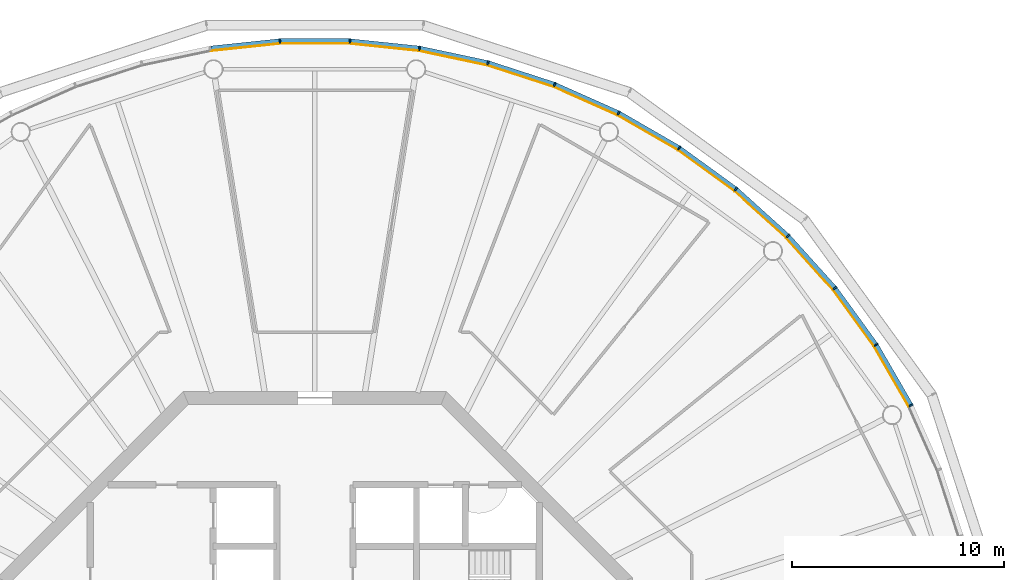
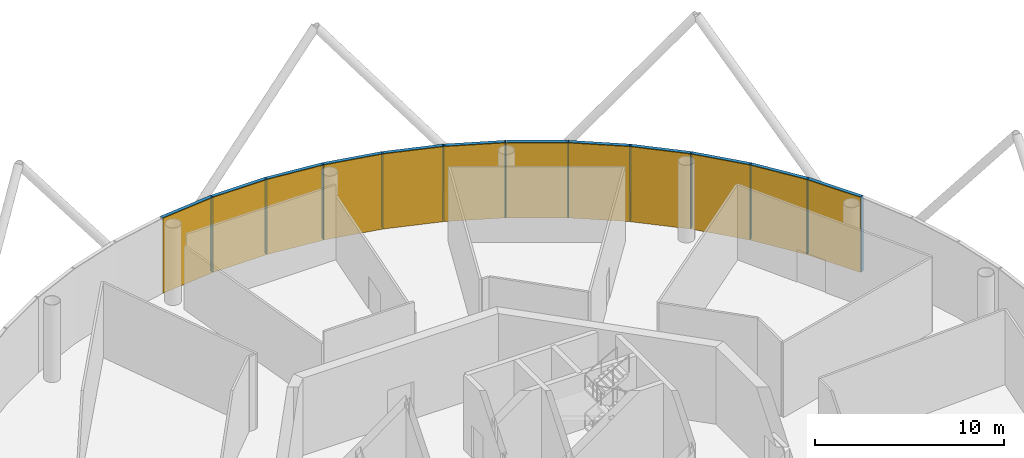
# One storey, part 12 of 13: 24 members, 4 curtain walls.
"""IFC4 building model written with IfcOpenShell, lengths in metres."""

from ifc_helpers import new_model, si_unit, direction, frame, origin, origin_2d, place, context, subcontext, project, spatial, polyline, rectangle, outline, extrude, material, layer, layer_set, material_profile, profile_set, type_object, element, aggregate, save


model = new_model("IFC4")

# Units and contexts
model_context = context("Model", 3, precision=1e-05, world=origin(), true_north=direction((0.0, 1.0)))
body_context = subcontext(model_context, "Body", "Model", "MODEL_VIEW")
ifc_project = project(units=[si_unit("LENGTHUNIT", "METRE"), si_unit("AREAUNIT", "SQUARE_METRE"), si_unit("VOLUMEUNIT", "CUBIC_METRE"), si_unit("PLANEANGLEUNIT", "RADIAN"), si_unit("MASSUNIT", "GRAM", prefix="KILO")], contexts=[model_context])

# Member
ifc_material_1 = material(Name="Anodised aluminium", Category="aluminium")
ifc_material_profile_1 = material_profile(ifc_material_1, rectangle(XDim=0.070068359375, YDim=0.2099609375, at=origin_2d()), Name="Mullion 70 x 210 mm anodised aluminium")
ifc_profile_set_1 = profile_set([ifc_material_profile_1], Name="Anodised aluminium")
member_type_1 = type_object("IfcMemberType", Name="Mullion 70 x 210 mm anodised aluminium", PredefinedType="MULLION", material=ifc_profile_set_1)
site_placement = place(None, origin())
building_placement = place(site_placement, origin())
storey_placement = place(building_placement, frame((0.0, 0.0, 402.0)))
member_1_placement = place(storey_placement, frame((118.16015625, 94.348388671875, 0.0), z_axis=(0.0, 0.0, 1.0), x_axis=(-0.45399049974, 0.891006524188, 0.0)))
member_1 = element("IfcMember", 1, at=member_1_placement, type_object=member_type_1, Name="MULLION L92-03", PredefinedType="MULLION", context=body_context, shape_type="SweptSolid", body=[
    extrude(rectangle(XDim=0.070068359375, YDim=0.2099609375, at=origin_2d()), origin(), (0.0, 0.0, 1.0), 4.85009765625),
])

member_2_placement = place(storey_placement, frame((116.506103515625, 97.21337890625, 0.0), z_axis=(0.0, 0.0, 1.0), x_axis=(-0.544639035015, 0.838670567945, 0.0)))
member_2 = element("IfcMember", 2, at=member_2_placement, type_object=member_type_1, Name="MULLION L92-04", PredefinedType="MULLION", context=body_context, shape_type="SweptSolid", body=[
    extrude(rectangle(XDim=0.070068359375, YDim=0.2099609375, at=origin_2d()), origin(), (0.0, 0.0, 1.0), 4.85009765625),
])

member_3_placement = place(storey_placement, frame((114.561767578125, 99.8896484375, 0.0), z_axis=(0.0, 0.0, 1.0), x_axis=(-0.62932039105, 0.777145961457, 0.0)))
member_3 = element("IfcMember", 3, at=member_3_placement, type_object=member_type_1, Name="MULLION L92-05", PredefinedType="MULLION", context=body_context, shape_type="SweptSolid", body=[
    extrude(rectangle(XDim=0.070068359375, YDim=0.2099609375, at=origin_2d()), origin(), (0.0, 0.0, 1.0), 4.85009765625),
])

member_4_placement = place(storey_placement, frame((112.34814453125, 102.34814453125, 0.0), z_axis=(0.0, 0.0, 1.0), x_axis=(-0.707106781187, 0.707106781187, 0.0)))
member_4 = element("IfcMember", 4, at=member_4_placement, type_object=member_type_1, Name="MULLION L92-06", PredefinedType="MULLION", context=body_context, shape_type="SweptSolid", body=[
    extrude(rectangle(XDim=0.070068359375, YDim=0.2099609375, at=origin_2d()), origin(), (0.0, 0.0, 1.0), 4.85009765625),
])

member_5_placement = place(storey_placement, frame((109.8896484375, 104.561767578125, 0.0), z_axis=(0.0, 0.0, 1.0), x_axis=(-0.777145961457, 0.62932039105, 0.0)))
member_5 = element("IfcMember", 5, at=member_5_placement, type_object=member_type_1, Name="MULLION L92-07", PredefinedType="MULLION", context=body_context, shape_type="SweptSolid", body=[
    extrude(rectangle(XDim=0.070068359375, YDim=0.2099609375, at=origin_2d()), origin(), (0.0, 0.0, 1.0), 4.85009765625),
])

member_6_placement = place(storey_placement, frame((107.21337890625, 106.506103515625, 0.0), z_axis=(0.0, 0.0, 1.0), x_axis=(-0.838670567945, 0.544639035015, 0.0)))
member_6 = element("IfcMember", 6, at=member_6_placement, type_object=member_type_1, Name="MULLION L92-08", PredefinedType="MULLION", context=body_context, shape_type="SweptSolid", body=[
    extrude(rectangle(XDim=0.070068359375, YDim=0.2099609375, at=origin_2d()), origin(), (0.0, 0.0, 1.0), 4.85009765625),
])

member_7_placement = place(storey_placement, frame((104.348388671875, 108.16015625, 0.0), z_axis=(0.0, 0.0, 1.0), x_axis=(-0.891006524188, 0.45399049974, 0.0)))
member_7 = element("IfcMember", 7, at=member_7_placement, type_object=member_type_1, Name="MULLION L92-09", PredefinedType="MULLION", context=body_context, shape_type="SweptSolid", body=[
    extrude(rectangle(XDim=0.070068359375, YDim=0.2099609375, at=origin_2d()), origin(), (0.0, 0.0, 1.0), 4.85009765625),
])

member_8_placement = place(storey_placement, frame((101.326171875, 109.505859375, 0.0), z_axis=(0.0, 0.0, 1.0), x_axis=(-0.933580426497, 0.358367949545, 0.0)))
member_8 = element("IfcMember", 8, at=member_8_placement, type_object=member_type_1, Name="MULLION L92-10", PredefinedType="MULLION", context=body_context, shape_type="SweptSolid", body=[
    extrude(rectangle(XDim=0.070068359375, YDim=0.2099609375, at=origin_2d()), origin(), (0.0, 0.0, 1.0), 4.85009765625),
])

member_9_placement = place(storey_placement, frame((98.179931640625, 110.528076171875, 0.0), z_axis=(0.0, 0.0, 1.0), x_axis=(-0.965925826289, 0.258819045103, 0.0)))
member_9 = element("IfcMember", 9, at=member_9_placement, type_object=member_type_1, Name="MULLION L92-11", PredefinedType="MULLION", context=body_context, shape_type="SweptSolid", body=[
    extrude(rectangle(XDim=0.070068359375, YDim=0.2099609375, at=origin_2d()), origin(), (0.0, 0.0, 1.0), 4.85009765625),
])

member_10_placement = place(storey_placement, frame((94.944091796875, 111.2158203125, 0.0), z_axis=(0.0, 0.0, 1.0), x_axis=(-0.987688340595, 0.15643446504, 0.0)))
member_10 = element("IfcMember", 10, at=member_10_placement, type_object=member_type_1, Name="MULLION L92-12", PredefinedType="MULLION", context=body_context, shape_type="SweptSolid", body=[
    extrude(rectangle(XDim=0.070068359375, YDim=0.2099609375, at=origin_2d()), origin(), (0.0, 0.0, 1.0), 4.85009765625),
])

member_11_placement = place(storey_placement, frame((91.654052734375, 111.561767578125, 0.0), z_axis=(0.0, 0.0, 1.0), x_axis=(-0.998629534755, 0.052335956243, 0.0)))
member_11 = element("IfcMember", 11, at=member_11_placement, type_object=member_type_1, Name="MULLION L92-13", PredefinedType="MULLION", context=body_context, shape_type="SweptSolid", body=[
    extrude(rectangle(XDim=0.070068359375, YDim=0.2099609375, at=origin_2d()), origin(), (0.0, 0.0, 1.0), 4.85009765625),
])

member_12_placement = place(storey_placement, frame((88.345947265625, 111.561767578125, 0.0), z_axis=(0.0, 0.0, 1.0), x_axis=(-0.998629534755, -0.052335956243, 0.0)))
member_12 = element("IfcMember", 12, at=member_12_placement, type_object=member_type_1, Name="MULLION L92-14", PredefinedType="MULLION", context=body_context, shape_type="SweptSolid", body=[
    extrude(rectangle(XDim=0.070068359375, YDim=0.2099609375, at=origin_2d()), origin(), (0.0, 0.0, 1.0), 4.85009765625),
])

ifc_material_2 = material(Name="Anodised aluminium", Category="aluminium")
ifc_material_profile_2 = material_profile(ifc_material_2, rectangle(XDim=0.2099609375, YDim=0.199951171875, at=origin_2d()), Name="Transom 200 x 210 mm anodised aluminium")
ifc_profile_set_2 = profile_set([ifc_material_profile_2], Name="Anodised aluminium")
member_type_2 = type_object("IfcMemberType", Name="Transom 200 x 210 mm anodised aluminium", PredefinedType="USERDEFINED", material=ifc_profile_set_2)
member_13_placement = place(storey_placement, frame((118.14013671875, 94.383544921875, 4.75), z_axis=(-0.500004055213, 0.866023062494, 0.0), x_axis=(-0.866023062494, -0.500004055213, 0.0)))
member_13 = element("IfcMember", 13, at=member_13_placement, type_object=member_type_2, Name="TRANSOM L92-03", ObjectType="TRANSOM", PredefinedType="USERDEFINED", context=body_context, shape_type="SweptSolid", body=[
    extrude(rectangle(XDim=0.2099609375, YDim=0.199951171875, at=origin_2d()), origin(), (0.0, 0.0, 1.0), 3.22705078125),
])

member_14_placement = place(storey_placement, frame((116.482421875, 97.24609375, 4.75), z_axis=(-0.587753274698, 0.809040226492, 0.0), x_axis=(-0.809040226492, -0.587753274698, 0.0)))
member_14 = element("IfcMember", 14, at=member_14_placement, type_object=member_type_2, Name="TRANSOM L92-04", ObjectType="TRANSOM", PredefinedType="USERDEFINED", context=body_context, shape_type="SweptSolid", body=[
    extrude(rectangle(XDim=0.2099609375, YDim=0.199951171875, at=origin_2d()), origin(), (0.0, 0.0, 1.0), 3.22705078125),
])

member_15_placement = place(storey_placement, frame((114.53466796875, 99.919921875, 4.75), z_axis=(-0.669144438484, 0.743132370743, 0.0), x_axis=(-0.743132370743, -0.669144438484, 0.0)))
member_15 = element("IfcMember", 15, at=member_15_placement, type_object=member_type_2, Name="TRANSOM L92-05", ObjectType="TRANSOM", PredefinedType="USERDEFINED", context=body_context, shape_type="SweptSolid", body=[
    extrude(rectangle(XDim=0.2099609375, YDim=0.199951171875, at=origin_2d()), origin(), (0.0, 0.0, 1.0), 3.22705078125),
])

member_16_placement = place(storey_placement, frame((112.318115234375, 102.375244140625, 4.75), z_axis=(-0.743132370743, 0.669144438484, 0.0), x_axis=(-0.669144438484, -0.743132370743, 0.0)))
member_16 = element("IfcMember", 16, at=member_16_placement, type_object=member_type_2, Name="TRANSOM L92-06", ObjectType="TRANSOM", PredefinedType="USERDEFINED", context=body_context, shape_type="SweptSolid", body=[
    extrude(rectangle(XDim=0.2099609375, YDim=0.199951171875, at=origin_2d()), origin(), (0.0, 0.0, 1.0), 3.22705078125),
])

member_17_placement = place(storey_placement, frame((109.85693359375, 104.585693359375, 4.75), z_axis=(-0.809040226492, 0.587753274698, 0.0), x_axis=(-0.587753274698, -0.809040226492, 0.0)))
member_17 = element("IfcMember", 17, at=member_17_placement, type_object=member_type_2, Name="TRANSOM L92-07", ObjectType="TRANSOM", PredefinedType="USERDEFINED", context=body_context, shape_type="SweptSolid", body=[
    extrude(rectangle(XDim=0.2099609375, YDim=0.199951171875, at=origin_2d()), origin(), (0.0, 0.0, 1.0), 3.22705078125),
])

member_18_placement = place(storey_placement, frame((107.17822265625, 106.526611328125, 4.75), z_axis=(-0.866023062494, 0.500004055213, 0.0), x_axis=(-0.500004055213, -0.866023062494, 0.0)))
member_18 = element("IfcMember", 18, at=member_18_placement, type_object=member_type_2, Name="TRANSOM L92-08", ObjectType="TRANSOM", PredefinedType="USERDEFINED", context=body_context, shape_type="SweptSolid", body=[
    extrude(rectangle(XDim=0.2099609375, YDim=0.199951171875, at=origin_2d()), origin(), (0.0, 0.0, 1.0), 3.22705078125),
])

member_19_placement = place(storey_placement, frame((104.3115234375, 108.1767578125, 4.75), z_axis=(-0.913533696574, 0.40676305784, 0.0), x_axis=(-0.40676305784, -0.913533696574, 0.0)))
member_19 = element("IfcMember", 19, at=member_19_placement, type_object=member_type_2, Name="TRANSOM L92-09", ObjectType="TRANSOM", PredefinedType="USERDEFINED", context=body_context, shape_type="SweptSolid", body=[
    extrude(rectangle(XDim=0.2099609375, YDim=0.199951171875, at=origin_2d()), origin(), (0.0, 0.0, 1.0), 3.227294921875),
])

member_20_placement = place(storey_placement, frame((101.287841796875, 109.5185546875, 4.75), z_axis=(-0.951076311148, 0.308956065441, 0.0), x_axis=(-0.308956065441, -0.951076311148, 0.0)))
member_20 = element("IfcMember", 20, at=member_20_placement, type_object=member_type_2, Name="TRANSOM L92-10", ObjectType="TRANSOM", PredefinedType="USERDEFINED", context=body_context, shape_type="SweptSolid", body=[
    extrude(rectangle(XDim=0.2099609375, YDim=0.199951171875, at=origin_2d()), origin(), (0.0, 0.0, 1.0), 3.227294921875),
])

member_21_placement = place(storey_placement, frame((98.140380859375, 110.53662109375, 4.75), z_axis=(-0.978153082647, 0.207885898771, 0.0), x_axis=(-0.207885898771, -0.978153082647, 0.0)))
member_21 = element("IfcMember", 21, at=member_21_placement, type_object=member_type_2, Name="TRANSOM L92-11", ObjectType="TRANSOM", PredefinedType="USERDEFINED", context=body_context, shape_type="SweptSolid", body=[
    extrude(rectangle(XDim=0.2099609375, YDim=0.199951171875, at=origin_2d()), origin(), (0.0, 0.0, 1.0), 3.227294921875),
])

member_22_placement = place(storey_placement, frame((94.90380859375, 111.22021484375, 4.75), z_axis=(-0.994519537956, 0.104550890115, 0.0), x_axis=(-0.104550890115, -0.994519537956, 0.0)))
member_22 = element("IfcMember", 22, at=member_22_placement, type_object=member_type_2, Name="TRANSOM L92-12", ObjectType="TRANSOM", PredefinedType="USERDEFINED", context=body_context, shape_type="SweptSolid", body=[
    extrude(rectangle(XDim=0.2099609375, YDim=0.199951171875, at=origin_2d()), origin(), (0.0, 0.0, 1.0), 3.22705078125),
])

member_23_placement = place(storey_placement, frame((91.613525390625, 111.561767578125, 4.75), z_axis=(-1.0, 0.0, 0.0), x_axis=(0.0, -1.0, 0.0)))
member_23 = element("IfcMember", 23, at=member_23_placement, type_object=member_type_2, Name="TRANSOM L92-13", ObjectType="TRANSOM", PredefinedType="USERDEFINED", context=body_context, shape_type="SweptSolid", body=[
    extrude(rectangle(XDim=0.2099609375, YDim=0.199951171875, at=origin_2d()), origin(), (0.0, 0.0, 1.0), 3.22705078125),
])

member_24_placement = place(storey_placement, frame((88.3056640625, 111.5576171875, 4.75), z_axis=(-0.994519537956, -0.104550890115, 0.0), x_axis=(0.104550890115, -0.994519537956, 0.0)))
member_24 = element("IfcMember", 24, at=member_24_placement, type_object=member_type_2, Name="TRANSOM L92-14", ObjectType="TRANSOM", PredefinedType="USERDEFINED", context=body_context, shape_type="SweptSolid", body=[
    extrude(rectangle(XDim=0.2099609375, YDim=0.199951171875, at=origin_2d()), origin(), (0.0, 0.0, 1.0), 3.22705078125),
])

# Site, building, storey
site = spatial("IfcSite", under=ifc_project, at=site_placement, CompositionType="ELEMENT")
building = spatial("IfcBuilding", under=site, at=building_placement, Name="Entoto Ring Tower", CompositionType="ELEMENT")
storey = spatial("IfcBuildingStorey", under=building, at=storey_placement, Name="L92", CompositionType="ELEMENT", Elevation=402.0)

# Curtain wall
ifc_material_3 = material(Name="Clear low-iron glass", Category="glass")
ifc_layer = layer(ifc_material_3, 0.0380859375)
ifc_layer_set = layer_set([ifc_layer], Name="Clear low-iron glass")
curtain_wall_type = type_object("IfcCurtainWallType", Name="Curtain wall system CW10 glazing 38 mm", PredefinedType="NOTDEFINED", material=ifc_layer_set)
curtain_wall_1_placement = place(storey_placement, origin())
curtain_wall_1 = element("IfcCurtainWall", 25, at=curtain_wall_1_placement, inside=storey, type_object=curtain_wall_type, Name="CW10 L92-02", PredefinedType="NOTDEFINED", context=body_context, shape_type="SweptSolid", body=[
    extrude(outline(polyline([(118.066650390625, 94.30078125), (116.418212890625, 97.15625), (114.47998046875, 99.823486328125), (112.27392578125, 102.27392578125), (112.2470703125, 102.2470703125), (114.450439453125, 99.799560546875), (116.38623046875, 97.135498046875), (118.03271484375, 94.283447265625), (118.066650390625, 94.30078125)])), origin(), (0.0, 0.0, 1.0), 4.85009765625),
])

aggregate(curtain_wall_1, [member_1, member_2, member_3, member_13, member_14, member_15])

curtain_wall_2_placement = place(storey_placement, origin())
curtain_wall_2 = element("IfcCurtainWall", 26, at=curtain_wall_2_placement, inside=storey, type_object=curtain_wall_type, Name="CW10 L92-03", PredefinedType="NOTDEFINED", context=body_context, shape_type="SweptSolid", body=[
    extrude(outline(polyline([(112.27392578125, 102.27392578125), (109.823486328125, 104.47998046875), (107.15625, 106.418212890625), (104.30078125, 108.066650390625), (104.283447265625, 108.03271484375), (107.135498046875, 106.38623046875), (109.799560546875, 104.450439453125), (112.2470703125, 102.2470703125), (112.27392578125, 102.27392578125)])), origin(), (0.0, 0.0, 1.0), 4.85009765625),
])

aggregate(curtain_wall_2, [member_4, member_5, member_6, member_16, member_17, member_18])

curtain_wall_3_placement = place(storey_placement, origin())
curtain_wall_3 = element("IfcCurtainWall", 27, at=curtain_wall_3_placement, inside=storey, type_object=curtain_wall_type, Name="CW10 L92-04", PredefinedType="NOTDEFINED", context=body_context, shape_type="SweptSolid", body=[
    extrude(outline(polyline([(104.30078125, 108.066650390625), (101.28857421875, 109.40771484375), (98.15283203125, 110.4267578125), (94.927734375, 111.1123046875), (94.921630859375, 111.07470703125), (98.14306640625, 110.389892578125), (101.27490234375, 109.372314453125), (104.283447265625, 108.03271484375), (104.30078125, 108.066650390625)])), origin(), (0.0, 0.0, 1.0), 4.85009765625),
])

aggregate(curtain_wall_3, [member_7, member_8, member_9, member_19, member_20, member_21])

curtain_wall_4_placement = place(storey_placement, origin())
curtain_wall_4 = element("IfcCurtainWall", 28, at=curtain_wall_4_placement, inside=storey, type_object=curtain_wall_type, Name="CW10 L92-05", PredefinedType="NOTDEFINED", context=body_context, shape_type="SweptSolid", body=[
    extrude(outline(polyline([(94.927734375, 111.1123046875), (91.648681640625, 111.456787109375), (88.351318359375, 111.456787109375), (85.072265625, 111.1123046875), (85.078369140625, 111.07470703125), (88.353515625, 111.4189453125), (91.646484375, 111.4189453125), (94.921630859375, 111.07470703125), (94.927734375, 111.1123046875)])), origin(), (0.0, 0.0, 1.0), 4.85009765625),
])

aggregate(curtain_wall_4, [member_10, member_11, member_12, member_22, member_23, member_24])

save(model, "model.ifc")
